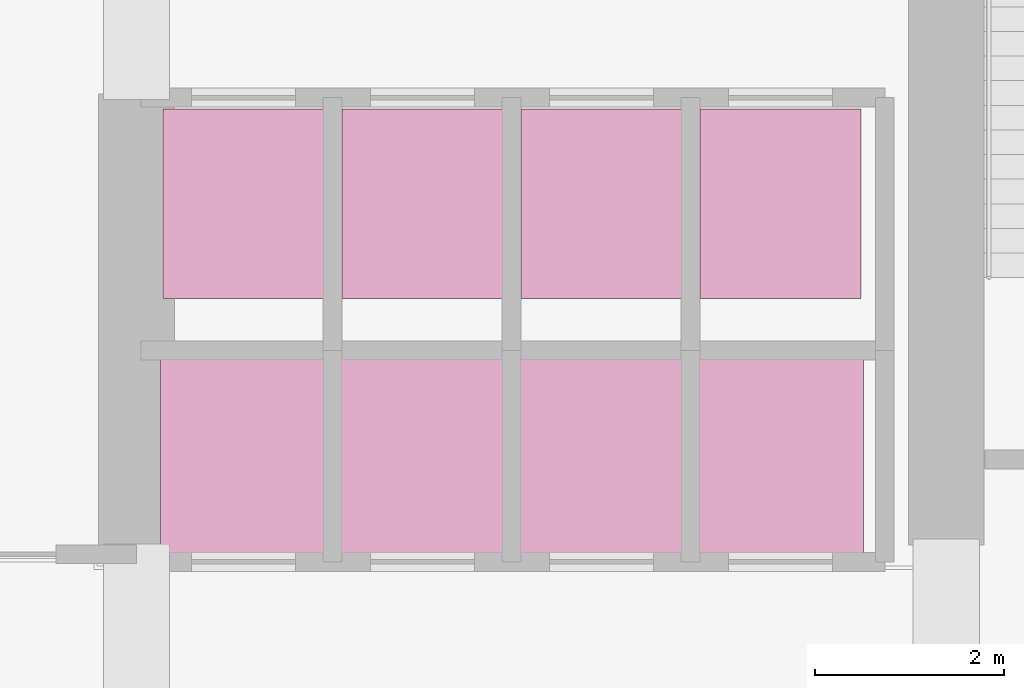
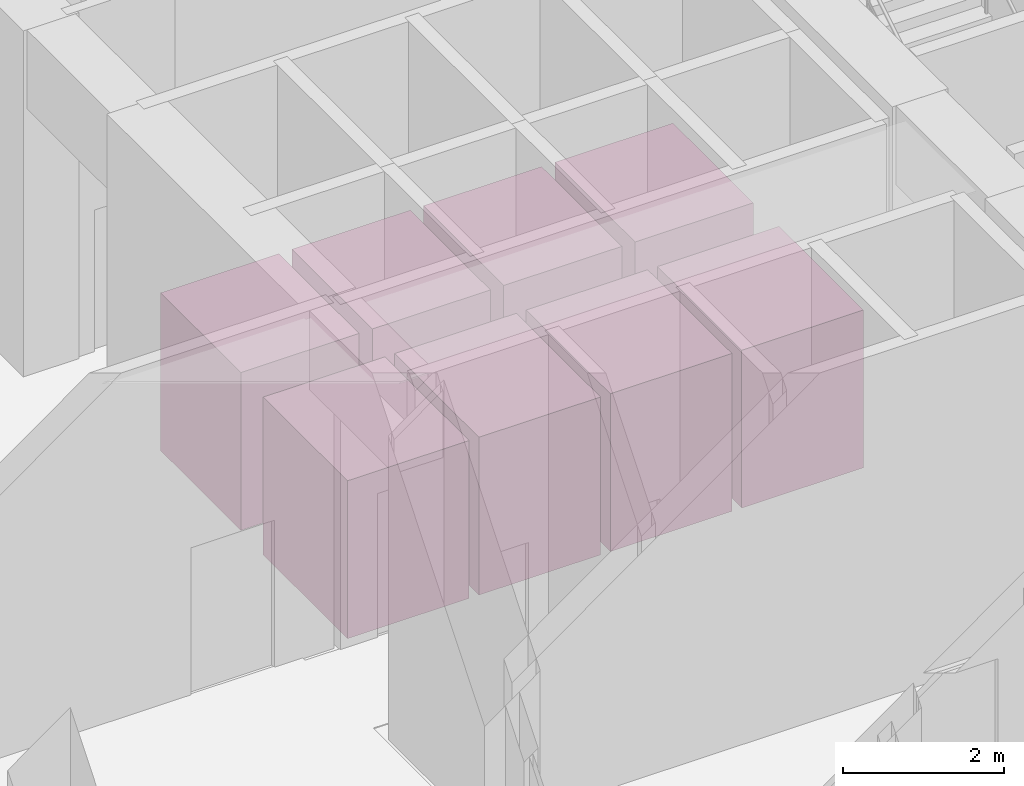
# One storey, part 17 of 17: 8 transport elements.
"""IFC4 building model written with IfcOpenShell, lengths in metres."""

from ifc_helpers import new_model, si_unit, direction, frame, origin, origin_2d, place, context, subcontext, project, spatial, rectangle, extrude, material, type_object, element, save


model = new_model("IFC4")

# Units and contexts
model_context = context("Model", 3, precision=1e-05, world=origin(), true_north=direction((0.0, 1.0)))
body_context = subcontext(model_context, "Body", "Model", "MODEL_VIEW")
ifc_project = project(units=[si_unit("LENGTHUNIT", "METRE"), si_unit("AREAUNIT", "SQUARE_METRE"), si_unit("VOLUMEUNIT", "CUBIC_METRE"), si_unit("PLANEANGLEUNIT", "RADIAN"), si_unit("MASSUNIT", "GRAM", prefix="KILO")], contexts=[model_context])

# Site, building, storey
site_placement = place(None, origin())
site = spatial("IfcSite", under=ifc_project, at=site_placement, CompositionType="ELEMENT")
building_placement = place(site_placement, origin())
building = spatial("IfcBuilding", under=site, at=building_placement, Name="Kolvaren Waterfront Exchange", CompositionType="ELEMENT")
storey_placement = place(building_placement, origin())
storey = spatial("IfcBuildingStorey", under=building, at=storey_placement, Name="L01", CompositionType="ELEMENT", Elevation=0.0)

# Transport elements
ifc_material = material(Name="Stainless steel 316", Category="steel")
transport_element_type_1 = type_object("IfcTransportElementType", Name="ARC-LIFT-PH", PredefinedType="ELEVATOR", material=ifc_material)
for number, where, z_axis, x_axis, name in (
    (1, (8.580078125, 18.0, 0.0), (0.0, 0.0, 1.0), (1.0, 0.0, 0.0), "Elevator PH1 (High-Rise)"),
    (2, (10.469970703125, 18.0, 0.0), (0.0, 0.0, 1.0), (1.0, 0.0, 0.0), "Elevator PH2 (High-Rise)"),
    (3, (12.360107421875, 18.0, 0.0), (0.0, 0.0, 1.0), (1.0, 0.0, 0.0), "Elevator PH3 (High-Rise)"),
    (4, (14.25, 18.0, 0.0), (0.0, 0.0, 1.0), (1.0, 0.0, 0.0), "Elevator PH4 (High-Rise)"),
):
    element("IfcTransportElement", number, at=place(storey_placement, frame(where, z_axis=z_axis, x_axis=x_axis)), inside=storey, type_object=transport_element_type_1, Name=name, PredefinedType="ELEVATOR", context=body_context, shape_type="SweptSolid", body=[
        extrude(rectangle(XDim=1.699951171875, YDim=2.0, at=origin_2d()), origin(), (0.0, 0.0, 1.0), 2.39990234375),
    ])
transport_element_type_2 = type_object("IfcTransportElementType", Name="ARC-LIFT-PM", PredefinedType="ELEVATOR", material=ifc_material)
for number, where, z_axis, x_axis, name in (
    (5, (8.580078125, 15.35009765625, 0.0), (0.0, 0.0, 1.0), (1.0, 0.0, 0.0), "Elevator PM1 (Mid-Rise)"),
    (6, (10.469970703125, 15.35009765625, 0.0), (0.0, 0.0, 1.0), (1.0, 0.0, 0.0), "Elevator PM2 (Mid-Rise)"),
    (7, (12.360107421875, 15.35009765625, 0.0), (0.0, 0.0, 1.0), (1.0, 0.0, 0.0), "Elevator PM3 (Mid-Rise)"),
    (8, (14.25, 15.35009765625, 0.0), (0.0, 0.0, 1.0), (1.0, 0.0, 0.0), "Elevator PM4 (Mid-Rise)"),
):
    element("IfcTransportElement", number, at=place(storey_placement, frame(where, z_axis=z_axis, x_axis=x_axis)), inside=storey, type_object=transport_element_type_2, Name=name, PredefinedType="ELEVATOR", context=body_context, shape_type="SweptSolid", body=[
        extrude(rectangle(XDim=1.75, YDim=2.10009765625, at=origin_2d()), origin(), (0.0, 0.0, 1.0), 2.39990234375),
    ])

save(model, "model.ifc")
